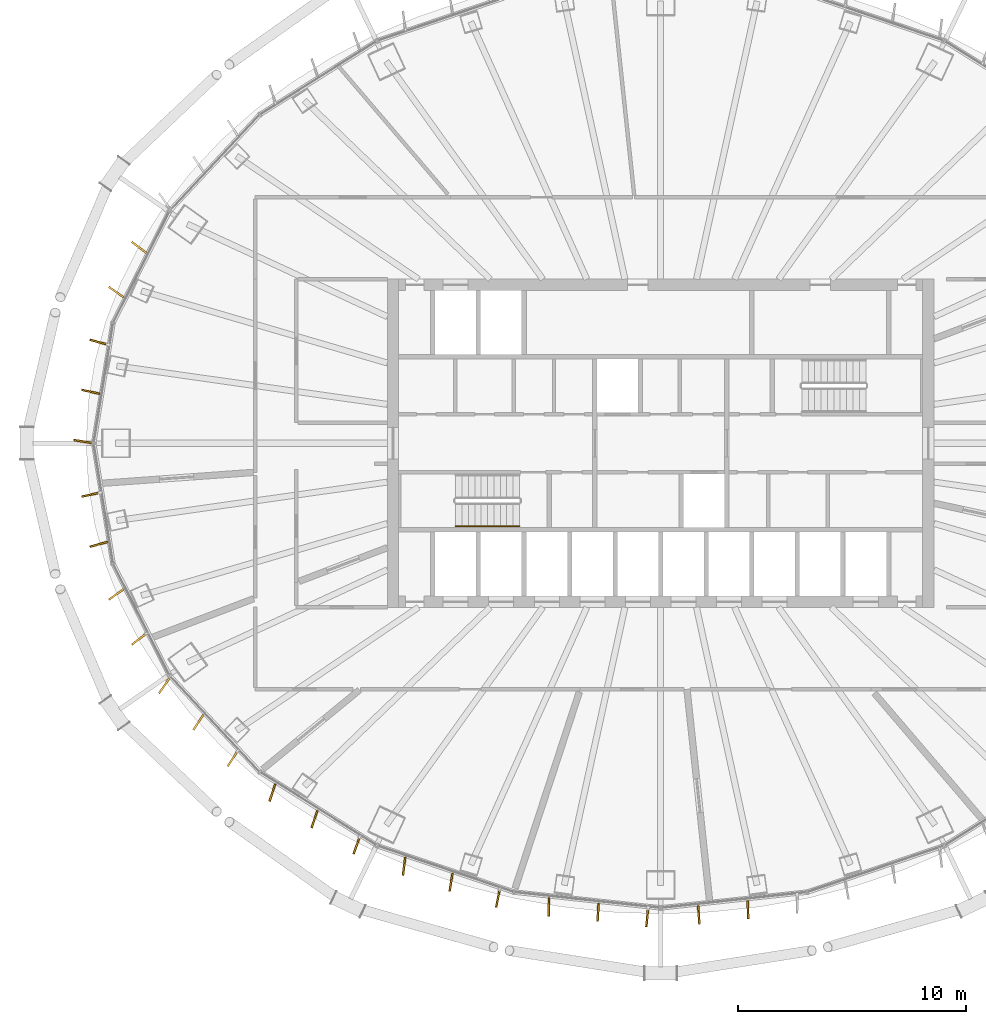
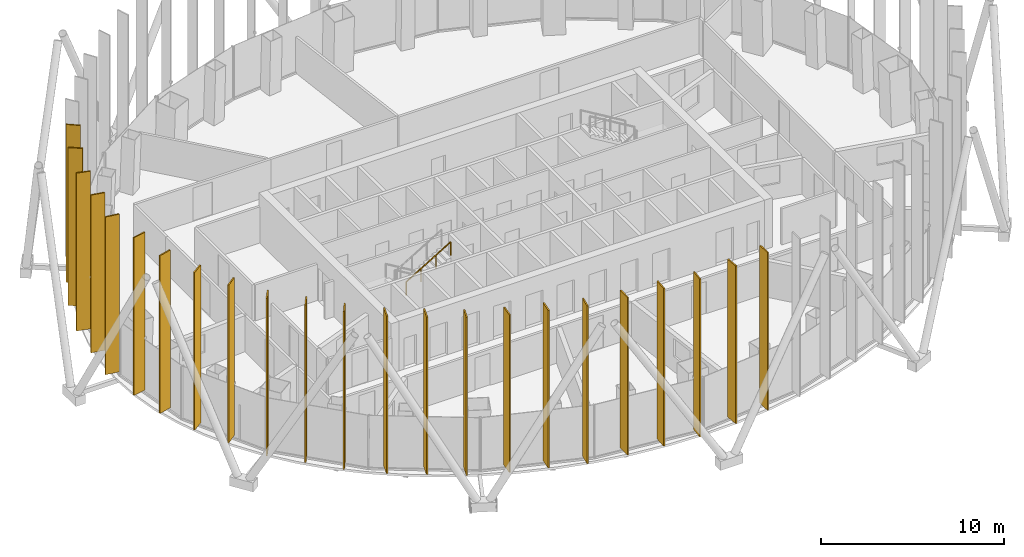
# One storey, part 16 of 19: 23 shading devices, 1 railing.
"""IFC4 building model written with IfcOpenShell, lengths in metres."""

from ifc_helpers import new_model, si_unit, direction, frame, origin, origin_2d, place, context, subcontext, project, spatial, rectangle, circle, extrude, material, layer, layer_set, type_object, element, save


model = new_model("IFC4")

# Units and contexts
model_context = context("Model", 3, precision=1e-05, world=origin(), true_north=direction((0.0, 1.0)))
body_context = subcontext(model_context, "Body", "Model", "MODEL_VIEW")
ifc_project = project(units=[si_unit("LENGTHUNIT", "METRE"), si_unit("AREAUNIT", "SQUARE_METRE"), si_unit("VOLUMEUNIT", "CUBIC_METRE"), si_unit("PLANEANGLEUNIT", "RADIAN"), si_unit("MASSUNIT", "GRAM", prefix="KILO")], contexts=[model_context])

# Site, building, storey
site_placement = place(None, origin())
site = spatial("IfcSite", under=ifc_project, at=site_placement, CompositionType="ELEMENT")
building_placement = place(site_placement, origin())
building = spatial("IfcBuilding", under=site, at=building_placement, Name="Siaravel Broadcast Tower", CompositionType="ELEMENT")
storey_placement = place(building_placement, frame((0.0, 0.0, 130.39990234375)))
storey = spatial("IfcBuildingStorey", under=building, at=storey_placement, Name="L31", CompositionType="ELEMENT", Elevation=130.39990234375)

# Shading devices
ifc_material_1 = material(Name="Bronze anodised aluminium", Category="aluminium")
ifc_layer = layer(ifc_material_1, 0.080078125)
ifc_layer_set = layer_set([ifc_layer], Name="Bronze anodised aluminium")
shading_device_type = type_object("IfcShadingDeviceType", Name="Bronze fin zone 2", PredefinedType="USERDEFINED", material=ifc_layer_set)
for number, where, z_axis, x_axis, name in (
    (1, (-22.899658203125, 8.59912109375, 0.300048828125), (0.0, 0.0, 1.0), (-0.795248147, 0.60628408, 0.0), "Bronze fin L31-29"),
    (2, (-23.895751953125, 6.634765625, 0.300048828125), (0.0, 0.0, 1.0), (-0.81741745, 0.576045755, 0.0), "Bronze fin L31-30"),
    (3, (-24.666015625, 4.43701171875, 0.300048828125), (0.0, 0.0, 1.0), (-0.966117543, 0.258102484, 0.0), "Bronze fin L31-31"),
    (4, (-25.017578125, 2.2578125, 0.300048828125), (0.0, 0.0, 1.0), (-0.97776494, 0.20970389, 0.0), "Bronze fin L31-32"),
    (5, (-25.36865234375, 0.077392578125, 0.300048828125), (0.0, 0.0, 1.0), (-0.987329198, 0.158685394, 0.0), "Bronze fin L31-33"),
    (6, (-25.017578125, -2.2578125, 0.300048828125), (0.0, 0.0, 1.0), (-0.97776494, -0.20970389, 0.0), "Bronze fin L31-34"),
    (7, (-24.666015625, -4.43701171875, 0.300048828125), (0.0, 0.0, 1.0), (-0.966117543, -0.258102484, 0.0), "Bronze fin L31-35"),
    (8, (-23.895751953125, -6.634765625, 0.300048828125), (0.0, 0.0, 1.0), (-0.81741745, -0.576045755, 0.0), "Bronze fin L31-36"),
    (9, (-22.899658203125, -8.59912109375, 0.300048828125), (0.0, 0.0, 1.0), (-0.795248147, -0.60628408, 0.0), "Bronze fin L31-37"),
    (10, (-21.789794921875, -10.645751953125, 0.300048828125), (0.0, 0.0, 1.0), (-0.56917477, -0.822216566, 0.0), "Bronze fin L31-38"),
    (11, (-20.287841796875, -12.24658203125, 0.300048828125), (0.0, 0.0, 1.0), (-0.552998983, -0.833181928, 0.0), "Bronze fin L31-39"),
    (12, (-18.788818359375, -13.845703125, 0.300048828125), (0.0, 0.0, 1.0), (-0.544196905, -0.838957525, 0.0), "Bronze fin L31-40"),
    (13, (-17.0439453125, -15.33251953125, 0.300048828125), (0.0, 0.0, 1.0), (-0.312150873, -0.950032543, 0.0), "Bronze fin L31-41"),
    (14, (-15.194580078125, -16.49560546875, 0.300048828125), (0.0, 0.0, 1.0), (-0.319452208, -0.947602389, 0.0), "Bronze fin L31-42"),
    (15, (-13.348388671875, -17.65771484375, 0.300048828125), (0.0, 0.0, 1.0), (-0.334634276, -0.942348079, 0.0), "Bronze fin L31-43"),
    (16, (-11.2626953125, -18.570556640625, 0.300048828125), (0.0, 0.0, 1.0), (-0.129790737, -0.991541408, 0.0), "Bronze fin L31-44"),
    (17, (-9.202392578125, -19.271728515625, 0.300048828125), (0.0, 0.0, 1.0), (-0.158804294, -0.987310081, 0.0), "Bronze fin L31-45"),
    (18, (-7.14453125, -19.97216796875, 0.300048828125), (0.0, 0.0, 1.0), (-0.192984368, -0.981201831, 0.0), "Bronze fin L31-46"),
    (19, (-4.908447265625, -20.35400390625, 0.300048828125), (0.0, 0.0, 1.0), (-0.012674242, -0.999919679, 0.0), "Bronze fin L31-47"),
    (20, (-2.749755859375, -20.587890625, 0.300048828125), (0.0, 0.0, 1.0), (-0.053911506, -0.998545717, 0.0), "Bronze fin L31-48"),
    (21, (-0.591796875, -20.8212890625, 0.300048828125), (0.0, 0.0, 1.0), (-0.09657539, -0.995325672, 0.0), "Bronze fin L31-49"),
    (22, (1.6708984375, -20.70458984375, 0.300048828125), (0.0, 0.0, 1.0), (0.075196277, -0.997168752, 0.0), "Bronze fin L31-50"),
    (23, (3.8291015625, -20.47119140625, 0.300048828125), (0.0, 0.0, 1.0), (0.03298423, -0.999455872, 0.0), "Bronze fin L31-51"),
):
    element("IfcShadingDevice", number, at=place(storey_placement, frame(where, z_axis=z_axis, x_axis=x_axis)), inside=storey, type_object=shading_device_type, Name=name, ObjectType="FIN", PredefinedType="USERDEFINED", context=body_context, shape_type="SweptSolid", body=[
        extrude(rectangle(XDim=0.800048828125, YDim=0.080078125, at=origin_2d()), origin(), (0.0, 0.0, 1.0), 10.5),
    ])

# Railing
ifc_material_2 = material(Name="Stainless steel 316L", Category="steel")
railing_type = type_object("IfcRailingType", Name="Stair handrail 900", PredefinedType="HANDRAIL", material=ifc_material_2)
railing_placement = place(storey_placement, frame((-9.0, -3.64990234375, 2.018310546875)))
element("IfcRailing", 24, at=railing_placement, inside=storey, type_object=railing_type, Name="L31 ST-1 stair handrail 2", PredefinedType="HANDRAIL", context=body_context, shape_type="SweptSolid", body=[
    extrude(circle(Radius=0.02392578125, at=origin_2d()), frame((0.0, 0.0, 0.8759765625), z_axis=(0.857242211, 0.0, 0.514913383), x_axis=(0.0, 1.0, 0.0)), (0.0, 0.0, 1.0), 3.266357421875),
    extrude(circle(Radius=0.02099609375, at=origin_2d()), origin(), (0.0, 0.0, 1.0), 0.851806640625),
    extrude(circle(Radius=0.02099609375, at=origin_2d()), frame((0.933349609375, 0.0, 0.560546875)), (0.0, 0.0, 1.0), 0.851806640625),
    extrude(circle(Radius=0.02099609375, at=origin_2d()), frame((1.86669921875, 0.0, 1.121337890625)), (0.0, 0.0, 1.0), 0.851806640625),
    extrude(circle(Radius=0.02099609375, at=origin_2d()), frame((2.800048828125, 0.0, 1.681884765625)), (0.0, 0.0, 1.0), 0.851806640625),
])

save(model, "model.ifc")
